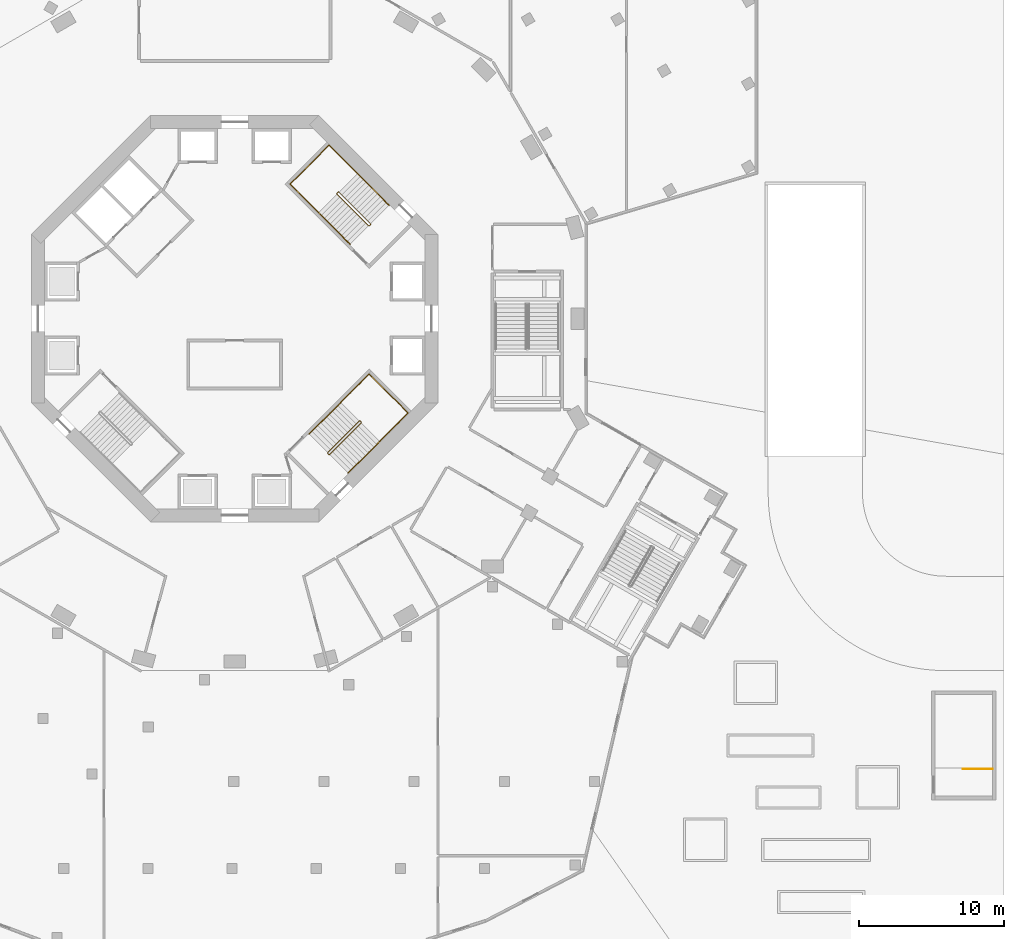
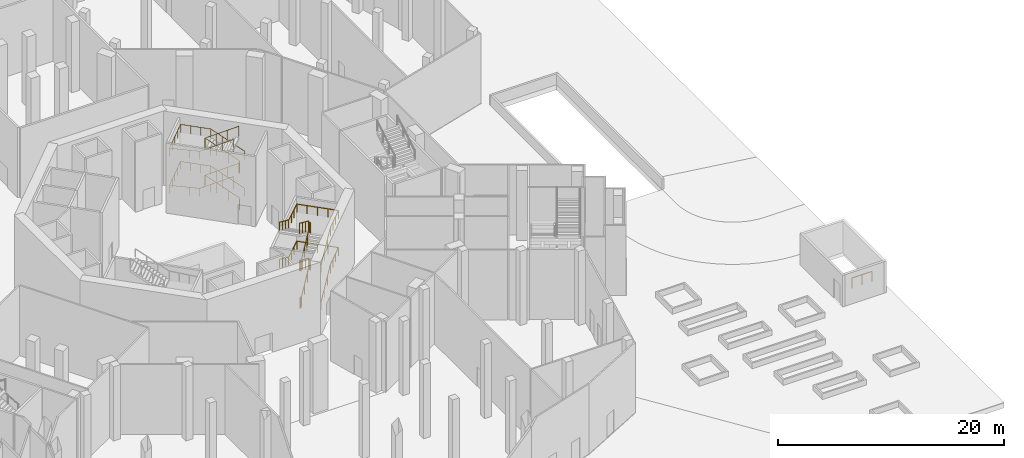
# One storey, part 25 of 30: 7 railings.
"""IFC4 building model written with IfcOpenShell, lengths in metres."""

from ifc_helpers import new_model, si_unit, direction, frame, origin, origin_2d, place, context, subcontext, project, spatial, circle, extrude, material, type_object, element, save


model = new_model("IFC4")

# Units and contexts
model_context = context("Model", 3, precision=1e-05, world=origin(), true_north=direction((0.0, 1.0)))
body_context = subcontext(model_context, "Body", "Model", "MODEL_VIEW")
ifc_project = project(units=[si_unit("LENGTHUNIT", "METRE"), si_unit("AREAUNIT", "SQUARE_METRE"), si_unit("VOLUMEUNIT", "CUBIC_METRE"), si_unit("PLANEANGLEUNIT", "RADIAN"), si_unit("MASSUNIT", "GRAM", prefix="KILO")], contexts=[model_context])

# Site, building, storey
site_placement = place(None, origin())
site = spatial("IfcSite", under=ifc_project, at=site_placement, CompositionType="ELEMENT")
building_placement = place(site_placement, origin())
building = spatial("IfcBuilding", under=site, at=building_placement, Name="Verdalira Terraces Hotel", CompositionType="ELEMENT")
storey_placement = place(building_placement, origin())
storey = spatial("IfcBuildingStorey", under=building, at=storey_placement, Name="L00", CompositionType="ELEMENT", Elevation=0.0)

# Railings
ifc_material_1 = material(Name="Stainless steel", Category="steel")
railing_type_1 = type_object("IfcRailingType", Name="Stair guard 1100", PredefinedType="GUARDRAIL", material=ifc_material_1)
railing_1_placement = place(storey_placement, frame((9.369141, 6.469971, 0.0)))
element("IfcRailing", 1, at=railing_1_placement, inside=storey, type_object=railing_type_1, Name="L00 ST1 stair guard 1", PredefinedType="GUARDRAIL", context=body_context, shape_type="SweptSolid", body=[
    extrude(circle(Radius=0.023926, at=origin_2d()), frame((0.0, 0.0, 1.076172), z_axis=(-0.70832698, -0.705884473, 0.0), x_axis=(0.705884473, -0.70832698, 0.0)), (0.0, 0.0, 1.0), 0.099854),
    extrude(circle(Radius=0.023926, at=origin_2d()), frame((-0.070801, -0.070557, 1.076172), z_axis=(0.308122069, 0.615181649, 0.725680598), x_axis=(-0.894118129, 0.447831187, 0.0)), (0.0, 0.0, 1.0), 0.229736),
    extrude(circle(Radius=0.023926, at=origin_2d()), frame((0.0, 0.070801, 1.242676), z_axis=(-0.607650571, 0.607582456, 0.51147272), x_axis=(-0.707067146, -0.707146414, 0.0)), (0.0, 0.0, 1.0), 3.584229),
    extrude(circle(Radius=0.023926, at=origin_2d()), frame((-2.177979, 2.248535, 3.076172), z_axis=(-1.0, 0.0, 0.0), x_axis=(0.0, -1.0, 0.0)), (0.0, 0.0, 1.0), 0.070557),
    extrude(circle(Radius=0.023926, at=origin_2d()), frame((-2.248535, 2.248535, 3.076172), z_axis=(-0.70832698, -0.705884473, 0.0), x_axis=(0.705884473, -0.70832698, 0.0)), (0.0, 0.0, 1.0), 0.099854),
    extrude(circle(Radius=0.023926, at=origin_2d()), frame((-2.319336, 2.177979, 3.076172), z_axis=(0.0, -0.390826706, 0.920464277), x_axis=(1.0, 0.0, 0.0)), (0.0, 0.0, 1.0), 0.181152),
    extrude(circle(Radius=0.023926, at=origin_2d()), frame((-2.319336, 2.107178, 3.242676), z_axis=(0.607650571, -0.607582456, 0.51147272), x_axis=(0.707067146, 0.707146414, 0.0)), (0.0, 0.0, 1.0), 3.584229),
    extrude(circle(Radius=0.023926, at=origin_2d()), frame((-0.141357, -0.070557, 5.076172), z_axis=(1.0, 0.0, 0.0), x_axis=(0.0, 1.0, 0.0)), (0.0, 0.0, 1.0), 0.070557),
    extrude(circle(Radius=0.023926, at=origin_2d()), frame((-0.070801, -0.070557, 5.076172), z_axis=(0.70832698, 0.705884473, 0.0), x_axis=(-0.705884473, 0.70832698, 0.0)), (0.0, 0.0, 1.0), 0.099854),
    extrude(circle(Radius=0.023926, at=origin_2d()), frame((0.0, 0.0, 5.076172), z_axis=(0.0, 0.390826706, 0.920464277), x_axis=(-1.0, 0.0, 0.0)), (0.0, 0.0, 1.0), 0.181152),
    extrude(circle(Radius=0.023926, at=origin_2d()), frame((0.0, 0.070801, 5.242676), z_axis=(-0.607650571, 0.607582456, 0.51147272), x_axis=(-0.707067146, -0.707146414, 0.0)), (0.0, 0.0, 1.0), 3.584229),
    extrude(circle(Radius=0.023926, at=origin_2d()), frame((-2.177979, 2.248535, 7.076172), z_axis=(-1.0, 0.0, 0.0), x_axis=(0.0, -1.0, 0.0)), (0.0, 0.0, 1.0), 0.070557),
    extrude(circle(Radius=0.023926, at=origin_2d()), frame((-2.248535, 2.248535, 7.076172), z_axis=(-0.70832698, -0.705884473, 0.0), x_axis=(0.705884473, -0.70832698, 0.0)), (0.0, 0.0, 1.0), 0.099854),
    extrude(circle(Radius=0.023926, at=origin_2d()), frame((-2.319336, 2.177979, 7.076172), z_axis=(0.0, -0.390826706, 0.920464277), x_axis=(1.0, 0.0, 0.0)), (0.0, 0.0, 1.0), 0.181152),
    extrude(circle(Radius=0.023926, at=origin_2d()), frame((-2.319336, 2.107178, 7.242676), z_axis=(0.607650571, -0.607582456, 0.51147272), x_axis=(0.707067146, 0.707146414, 0.0)), (0.0, 0.0, 1.0), 3.584229),
    extrude(circle(Radius=0.020996, at=origin_2d()), origin(), (0.0, 0.0, 1.0), 1.052002),
    extrude(circle(Radius=0.020996, at=origin_2d()), frame((-0.070801, -0.070557, 0.0)), (0.0, 0.0, 1.0), 1.052002),
    extrude(circle(Radius=0.020996, at=origin_2d()), frame((0.0, 0.070801, 0.166748)), (0.0, 0.0, 1.0), 1.052002),
    extrude(circle(Radius=0.020996, at=origin_2d()), frame((-0.726074, 0.796631, 0.777832)), (0.0, 0.0, 1.0), 1.052002),
    extrude(circle(Radius=0.020996, at=origin_2d()), frame((-1.451904, 1.522705, 1.388916)), (0.0, 0.0, 1.0), 1.052002),
    extrude(circle(Radius=0.020996, at=origin_2d()), frame((-2.177979, 2.248535, 2.0)), (0.0, 0.0, 1.0), 1.052002),
    extrude(circle(Radius=0.020996, at=origin_2d()), frame((-2.248535, 2.248535, 2.0)), (0.0, 0.0, 1.0), 1.052002),
    extrude(circle(Radius=0.020996, at=origin_2d()), frame((-2.319336, 2.177979, 2.0)), (0.0, 0.0, 1.0), 1.052002),
    extrude(circle(Radius=0.020996, at=origin_2d()), frame((-2.319336, 2.107178, 2.166748)), (0.0, 0.0, 1.0), 1.052002),
    extrude(circle(Radius=0.020996, at=origin_2d()), frame((-1.593262, 1.381348, 2.777832)), (0.0, 0.0, 1.0), 1.052002),
    extrude(circle(Radius=0.020996, at=origin_2d()), frame((-0.867432, 0.655273, 3.388916)), (0.0, 0.0, 1.0), 1.052002),
    extrude(circle(Radius=0.020996, at=origin_2d()), frame((-0.141357, -0.070557, 4.0)), (0.0, 0.0, 1.0), 1.052002),
    extrude(circle(Radius=0.020996, at=origin_2d()), frame((-0.070801, -0.070557, 4.0)), (0.0, 0.0, 1.0), 1.052002),
    extrude(circle(Radius=0.020996, at=origin_2d()), frame((0.0, 0.0, 4.0)), (0.0, 0.0, 1.0), 1.052002),
    extrude(circle(Radius=0.020996, at=origin_2d()), frame((0.0, 0.070801, 4.166748)), (0.0, 0.0, 1.0), 1.052002),
    extrude(circle(Radius=0.020996, at=origin_2d()), frame((-0.726074, 0.796631, 4.777832)), (0.0, 0.0, 1.0), 1.052002),
    extrude(circle(Radius=0.020996, at=origin_2d()), frame((-1.451904, 1.522705, 5.388916)), (0.0, 0.0, 1.0), 1.052002),
    extrude(circle(Radius=0.020996, at=origin_2d()), frame((-2.177979, 2.248535, 6.0)), (0.0, 0.0, 1.0), 1.052002),
    extrude(circle(Radius=0.020996, at=origin_2d()), frame((-2.248535, 2.248535, 6.0)), (0.0, 0.0, 1.0), 1.052002),
    extrude(circle(Radius=0.020996, at=origin_2d()), frame((-2.319336, 2.177979, 6.0)), (0.0, 0.0, 1.0), 1.052002),
    extrude(circle(Radius=0.020996, at=origin_2d()), frame((-2.319336, 2.107178, 6.166748)), (0.0, 0.0, 1.0), 1.052002),
    extrude(circle(Radius=0.020996, at=origin_2d()), frame((-1.593262, 1.381348, 6.777832)), (0.0, 0.0, 1.0), 1.052002),
    extrude(circle(Radius=0.020996, at=origin_2d()), frame((-0.867432, 0.655273, 7.388916)), (0.0, 0.0, 1.0), 1.052002),
    extrude(circle(Radius=0.020996, at=origin_2d()), frame((-0.141357, -0.070557, 8.0)), (0.0, 0.0, 1.0), 1.052002),
])
railing_2_placement = place(storey_placement, frame((6.469971, -9.369141, 0.0)))
element("IfcRailing", 2, at=railing_2_placement, inside=storey, type_object=railing_type_1, Name="L00 ST3 stair guard 1", PredefinedType="GUARDRAIL", context=body_context, shape_type="SweptSolid", body=[
    extrude(circle(Radius=0.023926, at=origin_2d()), frame((0.0, 0.0, 1.076172), z_axis=(-0.705884473, 0.70832698, 0.0), x_axis=(-0.70832698, -0.705884473, 0.0)), (0.0, 0.0, 1.0), 0.099854),
    extrude(circle(Radius=0.023926, at=origin_2d()), frame((-0.070557, 0.070801, 1.076172), z_axis=(0.615181649, -0.308122069, 0.725680598), x_axis=(0.447831187, 0.894118129, 0.0)), (0.0, 0.0, 1.0), 0.229736),
    extrude(circle(Radius=0.023926, at=origin_2d()), frame((0.070801, 0.0, 1.242676), z_axis=(0.607582456, 0.607650571, 0.51147272), x_axis=(-0.707146414, 0.707067146, 0.0)), (0.0, 0.0, 1.0), 3.584229),
    extrude(circle(Radius=0.023926, at=origin_2d()), frame((2.248535, 2.177979, 3.076172), z_axis=(0.0, 1.0, 0.0), x_axis=(-1.0, 0.0, 0.0)), (0.0, 0.0, 1.0), 0.070557),
    extrude(circle(Radius=0.023926, at=origin_2d()), frame((2.248535, 2.248535, 3.076172), z_axis=(-0.705884473, 0.70832698, 0.0), x_axis=(-0.70832698, -0.705884473, 0.0)), (0.0, 0.0, 1.0), 0.099854),
    extrude(circle(Radius=0.023926, at=origin_2d()), frame((2.177979, 2.319336, 3.076172), z_axis=(-0.390826706, 0.0, 0.920464277), x_axis=(0.0, -1.0, 0.0)), (0.0, 0.0, 1.0), 0.181152),
    extrude(circle(Radius=0.023926, at=origin_2d()), frame((2.107178, 2.319336, 3.242676), z_axis=(-0.607582456, -0.607650571, 0.51147272), x_axis=(0.707146414, -0.707067146, 0.0)), (0.0, 0.0, 1.0), 3.584229),
    extrude(circle(Radius=0.023926, at=origin_2d()), frame((-0.070557, 0.141357, 5.076172), z_axis=(0.0, -1.0, 0.0), x_axis=(1.0, 0.0, 0.0)), (0.0, 0.0, 1.0), 0.070557),
    extrude(circle(Radius=0.023926, at=origin_2d()), frame((-0.070557, 0.070801, 5.076172), z_axis=(0.705884473, -0.70832698, 0.0), x_axis=(0.70832698, 0.705884473, 0.0)), (0.0, 0.0, 1.0), 0.099854),
    extrude(circle(Radius=0.023926, at=origin_2d()), frame((0.0, 0.0, 5.076172), z_axis=(0.390826706, 0.0, 0.920464277), x_axis=(0.0, 1.0, 0.0)), (0.0, 0.0, 1.0), 0.181152),
    extrude(circle(Radius=0.023926, at=origin_2d()), frame((0.070801, 0.0, 5.242676), z_axis=(0.607582456, 0.607650571, 0.51147272), x_axis=(-0.707146414, 0.707067146, 0.0)), (0.0, 0.0, 1.0), 3.584229),
    extrude(circle(Radius=0.023926, at=origin_2d()), frame((2.248535, 2.177979, 7.076172), z_axis=(0.0, 1.0, 0.0), x_axis=(-1.0, 0.0, 0.0)), (0.0, 0.0, 1.0), 0.070557),
    extrude(circle(Radius=0.023926, at=origin_2d()), frame((2.248535, 2.248535, 7.076172), z_axis=(-0.705884473, 0.70832698, 0.0), x_axis=(-0.70832698, -0.705884473, 0.0)), (0.0, 0.0, 1.0), 0.099854),
    extrude(circle(Radius=0.023926, at=origin_2d()), frame((2.177979, 2.319336, 7.076172), z_axis=(-0.390826706, 0.0, 0.920464277), x_axis=(0.0, -1.0, 0.0)), (0.0, 0.0, 1.0), 0.181152),
    extrude(circle(Radius=0.023926, at=origin_2d()), frame((2.107178, 2.319336, 7.242676), z_axis=(-0.607582456, -0.607650571, 0.51147272), x_axis=(0.707146414, -0.707067146, 0.0)), (0.0, 0.0, 1.0), 3.584229),
    extrude(circle(Radius=0.020996, at=origin_2d()), origin(), (0.0, 0.0, 1.0), 1.052002),
    extrude(circle(Radius=0.020996, at=origin_2d()), frame((-0.070557, 0.070801, 0.0)), (0.0, 0.0, 1.0), 1.052002),
    extrude(circle(Radius=0.020996, at=origin_2d()), frame((0.070801, 0.0, 0.166748)), (0.0, 0.0, 1.0), 1.052002),
    extrude(circle(Radius=0.020996, at=origin_2d()), frame((0.796631, 0.726074, 0.777832)), (0.0, 0.0, 1.0), 1.052002),
    extrude(circle(Radius=0.020996, at=origin_2d()), frame((1.522705, 1.451904, 1.388916)), (0.0, 0.0, 1.0), 1.052002),
    extrude(circle(Radius=0.020996, at=origin_2d()), frame((2.248535, 2.177979, 2.0)), (0.0, 0.0, 1.0), 1.052002),
    extrude(circle(Radius=0.020996, at=origin_2d()), frame((2.248535, 2.248535, 2.0)), (0.0, 0.0, 1.0), 1.052002),
    extrude(circle(Radius=0.020996, at=origin_2d()), frame((2.177979, 2.319336, 2.0)), (0.0, 0.0, 1.0), 1.052002),
    extrude(circle(Radius=0.020996, at=origin_2d()), frame((2.107178, 2.319336, 2.166748)), (0.0, 0.0, 1.0), 1.052002),
    extrude(circle(Radius=0.020996, at=origin_2d()), frame((1.381348, 1.593262, 2.777832)), (0.0, 0.0, 1.0), 1.052002),
    extrude(circle(Radius=0.020996, at=origin_2d()), frame((0.655273, 0.867432, 3.388916)), (0.0, 0.0, 1.0), 1.052002),
    extrude(circle(Radius=0.020996, at=origin_2d()), frame((-0.070557, 0.141357, 4.0)), (0.0, 0.0, 1.0), 1.052002),
    extrude(circle(Radius=0.020996, at=origin_2d()), frame((-0.070557, 0.070801, 4.0)), (0.0, 0.0, 1.0), 1.052002),
    extrude(circle(Radius=0.020996, at=origin_2d()), frame((0.0, 0.0, 4.0)), (0.0, 0.0, 1.0), 1.052002),
    extrude(circle(Radius=0.020996, at=origin_2d()), frame((0.070801, 0.0, 4.166748)), (0.0, 0.0, 1.0), 1.052002),
    extrude(circle(Radius=0.020996, at=origin_2d()), frame((0.796631, 0.726074, 4.777832)), (0.0, 0.0, 1.0), 1.052002),
    extrude(circle(Radius=0.020996, at=origin_2d()), frame((1.522705, 1.451904, 5.388916)), (0.0, 0.0, 1.0), 1.052002),
    extrude(circle(Radius=0.020996, at=origin_2d()), frame((2.248535, 2.177979, 6.0)), (0.0, 0.0, 1.0), 1.052002),
    extrude(circle(Radius=0.020996, at=origin_2d()), frame((2.248535, 2.248535, 6.0)), (0.0, 0.0, 1.0), 1.052002),
    extrude(circle(Radius=0.020996, at=origin_2d()), frame((2.177979, 2.319336, 6.0)), (0.0, 0.0, 1.0), 1.052002),
    extrude(circle(Radius=0.020996, at=origin_2d()), frame((2.107178, 2.319336, 6.166748)), (0.0, 0.0, 1.0), 1.052002),
    extrude(circle(Radius=0.020996, at=origin_2d()), frame((1.381348, 1.593262, 6.777832)), (0.0, 0.0, 1.0), 1.052002),
    extrude(circle(Radius=0.020996, at=origin_2d()), frame((0.655273, 0.867432, 7.388916)), (0.0, 0.0, 1.0), 1.052002),
    extrude(circle(Radius=0.020996, at=origin_2d()), frame((-0.070557, 0.141357, 8.0)), (0.0, 0.0, 1.0), 1.052002),
])
railing_3_placement = place(storey_placement, frame((52.199951, -31.024902, 0.0)))
element("IfcRailing", 3, at=railing_3_placement, inside=storey, type_object=railing_type_1, Name="L00 Basement stair 2 top well guard 1", PredefinedType="GUARDRAIL", context=body_context, shape_type="SweptSolid", body=[
    extrude(circle(Radius=0.023926, at=origin_2d()), frame((0.0, 0.0, 1.076172), z_axis=(-1.0, 0.0, 0.0), x_axis=(0.0, -1.0, 0.0)), (0.0, 0.0, 1.0), 2.024902),
    extrude(circle(Radius=0.020996, at=origin_2d()), origin(), (0.0, 0.0, 1.0), 1.052002),
    extrude(circle(Radius=0.020996, at=origin_2d()), frame((-1.012451, 0.0, 0.0)), (0.0, 0.0, 1.0), 1.052002),
    extrude(circle(Radius=0.020996, at=origin_2d()), frame((-2.024902, 0.0, 0.0)), (0.0, 0.0, 1.0), 1.052002),
])
ifc_material_2 = material(Name="Stainless steel", Category="steel")
railing_type_2 = type_object("IfcRailingType", Name="Stair handrail 900", PredefinedType="HANDRAIL", material=ifc_material_2)
railing_4_placement = place(storey_placement, frame((10.641846, 7.813477, 0.166748)))
element("IfcRailing", 4, at=railing_4_placement, inside=storey, type_object=railing_type_2, Name="L00 ST1 stair handrail 1", PredefinedType="HANDRAIL", context=body_context, shape_type="SweptSolid", body=[
    extrude(circle(Radius=0.023926, at=origin_2d()), frame((0.0, 0.0, 0.875977), z_axis=(-0.607582456, 0.607650571, 0.51147272), x_axis=(-0.707146414, -0.707067146, 0.0)), (0.0, 0.0, 1.0), 3.584229),
    extrude(circle(Radius=0.023926, at=origin_2d()), frame((-2.177734, 2.177979, 2.708984), z_axis=(-0.707106781, 0.707106781, 0.0), x_axis=(-0.707106781, -0.707106781, 0.0)), (0.0, 0.0, 1.0), 2.77002),
    extrude(circle(Radius=0.023926, at=origin_2d()), frame((-4.136475, 4.136719, 2.708984), z_axis=(-0.707106781, -0.707106781, 0.0), x_axis=(0.707106781, -0.707106781, 0.0)), (0.0, 0.0, 1.0), 3.800049),
    extrude(circle(Radius=0.023926, at=origin_2d()), frame((-6.823486, 1.449707, 2.708984), z_axis=(0.705829123, -0.705829123, 0.06008741), x_axis=(0.707106781, 0.707106781, 0.0)), (0.0, 0.0, 1.0), 2.775146),
    extrude(circle(Radius=0.023926, at=origin_2d()), frame((-4.864746, -0.509033, 2.875977), z_axis=(0.607582456, -0.607650571, 0.51147272), x_axis=(0.707146414, 0.707067146, 0.0)), (0.0, 0.0, 1.0), 3.584229),
    extrude(circle(Radius=0.020996, at=origin_2d()), origin(), (0.0, 0.0, 1.0), 0.851807),
    extrude(circle(Radius=0.020996, at=origin_2d()), frame((-0.72583, 0.726074, 0.611084)), (0.0, 0.0, 1.0), 0.851807),
    extrude(circle(Radius=0.020996, at=origin_2d()), frame((-1.451904, 1.451904, 1.222168)), (0.0, 0.0, 1.0), 0.851807),
    extrude(circle(Radius=0.020996, at=origin_2d()), frame((-2.177734, 2.177979, 1.833252)), (0.0, 0.0, 1.0), 0.851807),
    extrude(circle(Radius=0.020996, at=origin_2d()), frame((-2.830566, 2.830811, 1.833252)), (0.0, 0.0, 1.0), 0.851807),
    extrude(circle(Radius=0.020996, at=origin_2d()), frame((-3.483643, 3.483887, 1.833252)), (0.0, 0.0, 1.0), 0.851807),
    extrude(circle(Radius=0.020996, at=origin_2d()), frame((-4.136475, 4.136719, 1.833252)), (0.0, 0.0, 1.0), 0.851807),
    extrude(circle(Radius=0.020996, at=origin_2d()), frame((-4.808105, 3.464844, 1.833252)), (0.0, 0.0, 1.0), 0.851807),
    extrude(circle(Radius=0.020996, at=origin_2d()), frame((-5.47998, 2.793213, 1.833252)), (0.0, 0.0, 1.0), 0.851807),
    extrude(circle(Radius=0.020996, at=origin_2d()), frame((-6.151855, 2.121582, 1.833252)), (0.0, 0.0, 1.0), 0.851807),
    extrude(circle(Radius=0.020996, at=origin_2d()), frame((-6.823486, 1.449707, 1.833252)), (0.0, 0.0, 1.0), 0.851807),
    extrude(circle(Radius=0.020996, at=origin_2d()), frame((-6.170654, 0.796875, 1.888916)), (0.0, 0.0, 1.0), 0.851807),
    extrude(circle(Radius=0.020996, at=origin_2d()), frame((-5.517578, 0.143799, 1.944336)), (0.0, 0.0, 1.0), 0.851807),
    extrude(circle(Radius=0.020996, at=origin_2d()), frame((-4.864746, -0.509033, 2.0)), (0.0, 0.0, 1.0), 0.851807),
    extrude(circle(Radius=0.020996, at=origin_2d()), frame((-4.138916, -1.235107, 2.611084)), (0.0, 0.0, 1.0), 0.851807),
    extrude(circle(Radius=0.020996, at=origin_2d()), frame((-3.412842, -1.960938, 3.222168)), (0.0, 0.0, 1.0), 0.851807),
    extrude(circle(Radius=0.020996, at=origin_2d()), frame((-2.687012, -2.687012, 3.833252)), (0.0, 0.0, 1.0), 0.851807),
])
railing_5_placement = place(storey_placement, frame((10.641846, 7.813477, 4.166748)))
element("IfcRailing", 5, at=railing_5_placement, inside=storey, type_object=railing_type_2, Name="L00 ST1 stair handrail 2", PredefinedType="HANDRAIL", context=body_context, shape_type="SweptSolid", body=[
    extrude(circle(Radius=0.023926, at=origin_2d()), frame((0.0, 0.0, 0.875977), z_axis=(-0.607582456, 0.607650571, 0.51147272), x_axis=(-0.707146414, -0.707067146, 0.0)), (0.0, 0.0, 1.0), 3.584229),
    extrude(circle(Radius=0.023926, at=origin_2d()), frame((-2.177734, 2.177979, 2.708984), z_axis=(-0.707106781, 0.707106781, 0.0), x_axis=(-0.707106781, -0.707106781, 0.0)), (0.0, 0.0, 1.0), 2.77002),
    extrude(circle(Radius=0.023926, at=origin_2d()), frame((-4.136475, 4.136719, 2.708984), z_axis=(-0.707106781, -0.707106781, 0.0), x_axis=(0.707106781, -0.707106781, 0.0)), (0.0, 0.0, 1.0), 3.800049),
    extrude(circle(Radius=0.023926, at=origin_2d()), frame((-6.823486, 1.449707, 2.708984), z_axis=(0.705829123, -0.705829123, 0.06008741), x_axis=(0.707106781, 0.707106781, 0.0)), (0.0, 0.0, 1.0), 2.775146),
    extrude(circle(Radius=0.023926, at=origin_2d()), frame((-4.864746, -0.509033, 2.875977), z_axis=(0.607582456, -0.607650571, 0.51147272), x_axis=(0.707146414, 0.707067146, 0.0)), (0.0, 0.0, 1.0), 3.584229),
    extrude(circle(Radius=0.020996, at=origin_2d()), origin(), (0.0, 0.0, 1.0), 0.851807),
    extrude(circle(Radius=0.020996, at=origin_2d()), frame((-0.72583, 0.726074, 0.611084)), (0.0, 0.0, 1.0), 0.851807),
    extrude(circle(Radius=0.020996, at=origin_2d()), frame((-1.451904, 1.451904, 1.222168)), (0.0, 0.0, 1.0), 0.851807),
    extrude(circle(Radius=0.020996, at=origin_2d()), frame((-2.177734, 2.177979, 1.833252)), (0.0, 0.0, 1.0), 0.851807),
    extrude(circle(Radius=0.020996, at=origin_2d()), frame((-2.830566, 2.830811, 1.833252)), (0.0, 0.0, 1.0), 0.851807),
    extrude(circle(Radius=0.020996, at=origin_2d()), frame((-3.483643, 3.483887, 1.833252)), (0.0, 0.0, 1.0), 0.851807),
    extrude(circle(Radius=0.020996, at=origin_2d()), frame((-4.136475, 4.136719, 1.833252)), (0.0, 0.0, 1.0), 0.851807),
    extrude(circle(Radius=0.020996, at=origin_2d()), frame((-4.808105, 3.464844, 1.833252)), (0.0, 0.0, 1.0), 0.851807),
    extrude(circle(Radius=0.020996, at=origin_2d()), frame((-5.47998, 2.793213, 1.833252)), (0.0, 0.0, 1.0), 0.851807),
    extrude(circle(Radius=0.020996, at=origin_2d()), frame((-6.151855, 2.121582, 1.833252)), (0.0, 0.0, 1.0), 0.851807),
    extrude(circle(Radius=0.020996, at=origin_2d()), frame((-6.823486, 1.449707, 1.833252)), (0.0, 0.0, 1.0), 0.851807),
    extrude(circle(Radius=0.020996, at=origin_2d()), frame((-6.170654, 0.796875, 1.888916)), (0.0, 0.0, 1.0), 0.851807),
    extrude(circle(Radius=0.020996, at=origin_2d()), frame((-5.517578, 0.143799, 1.944336)), (0.0, 0.0, 1.0), 0.851807),
    extrude(circle(Radius=0.020996, at=origin_2d()), frame((-4.864746, -0.509033, 2.0)), (0.0, 0.0, 1.0), 0.851807),
    extrude(circle(Radius=0.020996, at=origin_2d()), frame((-4.138916, -1.235107, 2.611084)), (0.0, 0.0, 1.0), 0.851807),
    extrude(circle(Radius=0.020996, at=origin_2d()), frame((-3.412842, -1.960938, 3.222168)), (0.0, 0.0, 1.0), 0.851807),
    extrude(circle(Radius=0.020996, at=origin_2d()), frame((-2.687012, -2.687012, 3.833252)), (0.0, 0.0, 1.0), 0.851807),
])
railing_6_placement = place(storey_placement, frame((7.813477, -10.641846, 0.166748)))
element("IfcRailing", 6, at=railing_6_placement, inside=storey, type_object=railing_type_2, Name="L00 ST3 stair handrail 1", PredefinedType="HANDRAIL", context=body_context, shape_type="SweptSolid", body=[
    extrude(circle(Radius=0.023926, at=origin_2d()), frame((0.0, 0.0, 0.875977), z_axis=(0.607650571, 0.607582456, 0.51147272), x_axis=(-0.707067146, 0.707146414, 0.0)), (0.0, 0.0, 1.0), 3.584229),
    extrude(circle(Radius=0.023926, at=origin_2d()), frame((2.177979, 2.177734, 2.708984), z_axis=(0.707106781, 0.707106781, 0.0), x_axis=(-0.707106781, 0.707106781, 0.0)), (0.0, 0.0, 1.0), 2.77002),
    extrude(circle(Radius=0.023926, at=origin_2d()), frame((4.136719, 4.136475, 2.708984), z_axis=(-0.707106781, 0.707106781, 0.0), x_axis=(-0.707106781, -0.707106781, 0.0)), (0.0, 0.0, 1.0), 3.800049),
    extrude(circle(Radius=0.023926, at=origin_2d()), frame((1.449707, 6.823486, 2.708984), z_axis=(-0.705829123, -0.705829123, 0.06008741), x_axis=(0.707106781, -0.707106781, 0.0)), (0.0, 0.0, 1.0), 2.775146),
    extrude(circle(Radius=0.023926, at=origin_2d()), frame((-0.509033, 4.864746, 2.875977), z_axis=(-0.607650571, -0.607582456, 0.51147272), x_axis=(0.707067146, -0.707146414, 0.0)), (0.0, 0.0, 1.0), 3.584229),
    extrude(circle(Radius=0.020996, at=origin_2d()), origin(), (0.0, 0.0, 1.0), 0.851807),
    extrude(circle(Radius=0.020996, at=origin_2d()), frame((0.726074, 0.72583, 0.611084)), (0.0, 0.0, 1.0), 0.851807),
    extrude(circle(Radius=0.020996, at=origin_2d()), frame((1.451904, 1.451904, 1.222168)), (0.0, 0.0, 1.0), 0.851807),
    extrude(circle(Radius=0.020996, at=origin_2d()), frame((2.177979, 2.177734, 1.833252)), (0.0, 0.0, 1.0), 0.851807),
    extrude(circle(Radius=0.020996, at=origin_2d()), frame((2.830811, 2.830566, 1.833252)), (0.0, 0.0, 1.0), 0.851807),
    extrude(circle(Radius=0.020996, at=origin_2d()), frame((3.483887, 3.483643, 1.833252)), (0.0, 0.0, 1.0), 0.851807),
    extrude(circle(Radius=0.020996, at=origin_2d()), frame((4.136719, 4.136475, 1.833252)), (0.0, 0.0, 1.0), 0.851807),
    extrude(circle(Radius=0.020996, at=origin_2d()), frame((3.464844, 4.808105, 1.833252)), (0.0, 0.0, 1.0), 0.851807),
    extrude(circle(Radius=0.020996, at=origin_2d()), frame((2.793213, 5.47998, 1.833252)), (0.0, 0.0, 1.0), 0.851807),
    extrude(circle(Radius=0.020996, at=origin_2d()), frame((2.121582, 6.151855, 1.833252)), (0.0, 0.0, 1.0), 0.851807),
    extrude(circle(Radius=0.020996, at=origin_2d()), frame((1.449707, 6.823486, 1.833252)), (0.0, 0.0, 1.0), 0.851807),
    extrude(circle(Radius=0.020996, at=origin_2d()), frame((0.796875, 6.170654, 1.888916)), (0.0, 0.0, 1.0), 0.851807),
    extrude(circle(Radius=0.020996, at=origin_2d()), frame((0.143799, 5.517578, 1.944336)), (0.0, 0.0, 1.0), 0.851807),
    extrude(circle(Radius=0.020996, at=origin_2d()), frame((-0.509033, 4.864746, 2.0)), (0.0, 0.0, 1.0), 0.851807),
    extrude(circle(Radius=0.020996, at=origin_2d()), frame((-1.235107, 4.138916, 2.611084)), (0.0, 0.0, 1.0), 0.851807),
    extrude(circle(Radius=0.020996, at=origin_2d()), frame((-1.960938, 3.412842, 3.222168)), (0.0, 0.0, 1.0), 0.851807),
    extrude(circle(Radius=0.020996, at=origin_2d()), frame((-2.687012, 2.687012, 3.833252)), (0.0, 0.0, 1.0), 0.851807),
])
railing_7_placement = place(storey_placement, frame((7.813477, -10.641846, 4.166748)))
element("IfcRailing", 7, at=railing_7_placement, inside=storey, type_object=railing_type_2, Name="L00 ST3 stair handrail 2", PredefinedType="HANDRAIL", context=body_context, shape_type="SweptSolid", body=[
    extrude(circle(Radius=0.023926, at=origin_2d()), frame((0.0, 0.0, 0.875977), z_axis=(0.607650571, 0.607582456, 0.51147272), x_axis=(-0.707067146, 0.707146414, 0.0)), (0.0, 0.0, 1.0), 3.584229),
    extrude(circle(Radius=0.023926, at=origin_2d()), frame((2.177979, 2.177734, 2.708984), z_axis=(0.707106781, 0.707106781, 0.0), x_axis=(-0.707106781, 0.707106781, 0.0)), (0.0, 0.0, 1.0), 2.77002),
    extrude(circle(Radius=0.023926, at=origin_2d()), frame((4.136719, 4.136475, 2.708984), z_axis=(-0.707106781, 0.707106781, 0.0), x_axis=(-0.707106781, -0.707106781, 0.0)), (0.0, 0.0, 1.0), 3.800049),
    extrude(circle(Radius=0.023926, at=origin_2d()), frame((1.449707, 6.823486, 2.708984), z_axis=(-0.705829123, -0.705829123, 0.06008741), x_axis=(0.707106781, -0.707106781, 0.0)), (0.0, 0.0, 1.0), 2.775146),
    extrude(circle(Radius=0.023926, at=origin_2d()), frame((-0.509033, 4.864746, 2.875977), z_axis=(-0.607650571, -0.607582456, 0.51147272), x_axis=(0.707067146, -0.707146414, 0.0)), (0.0, 0.0, 1.0), 3.584229),
    extrude(circle(Radius=0.020996, at=origin_2d()), origin(), (0.0, 0.0, 1.0), 0.851807),
    extrude(circle(Radius=0.020996, at=origin_2d()), frame((0.726074, 0.72583, 0.611084)), (0.0, 0.0, 1.0), 0.851807),
    extrude(circle(Radius=0.020996, at=origin_2d()), frame((1.451904, 1.451904, 1.222168)), (0.0, 0.0, 1.0), 0.851807),
    extrude(circle(Radius=0.020996, at=origin_2d()), frame((2.177979, 2.177734, 1.833252)), (0.0, 0.0, 1.0), 0.851807),
    extrude(circle(Radius=0.020996, at=origin_2d()), frame((2.830811, 2.830566, 1.833252)), (0.0, 0.0, 1.0), 0.851807),
    extrude(circle(Radius=0.020996, at=origin_2d()), frame((3.483887, 3.483643, 1.833252)), (0.0, 0.0, 1.0), 0.851807),
    extrude(circle(Radius=0.020996, at=origin_2d()), frame((4.136719, 4.136475, 1.833252)), (0.0, 0.0, 1.0), 0.851807),
    extrude(circle(Radius=0.020996, at=origin_2d()), frame((3.464844, 4.808105, 1.833252)), (0.0, 0.0, 1.0), 0.851807),
    extrude(circle(Radius=0.020996, at=origin_2d()), frame((2.793213, 5.47998, 1.833252)), (0.0, 0.0, 1.0), 0.851807),
    extrude(circle(Radius=0.020996, at=origin_2d()), frame((2.121582, 6.151855, 1.833252)), (0.0, 0.0, 1.0), 0.851807),
    extrude(circle(Radius=0.020996, at=origin_2d()), frame((1.449707, 6.823486, 1.833252)), (0.0, 0.0, 1.0), 0.851807),
    extrude(circle(Radius=0.020996, at=origin_2d()), frame((0.796875, 6.170654, 1.888916)), (0.0, 0.0, 1.0), 0.851807),
    extrude(circle(Radius=0.020996, at=origin_2d()), frame((0.143799, 5.517578, 1.944336)), (0.0, 0.0, 1.0), 0.851807),
    extrude(circle(Radius=0.020996, at=origin_2d()), frame((-0.509033, 4.864746, 2.0)), (0.0, 0.0, 1.0), 0.851807),
    extrude(circle(Radius=0.020996, at=origin_2d()), frame((-1.235107, 4.138916, 2.611084)), (0.0, 0.0, 1.0), 0.851807),
    extrude(circle(Radius=0.020996, at=origin_2d()), frame((-1.960938, 3.412842, 3.222168)), (0.0, 0.0, 1.0), 0.851807),
    extrude(circle(Radius=0.020996, at=origin_2d()), frame((-2.687012, 2.687012, 3.833252)), (0.0, 0.0, 1.0), 0.851807),
])

save(model, "model.ifc")
